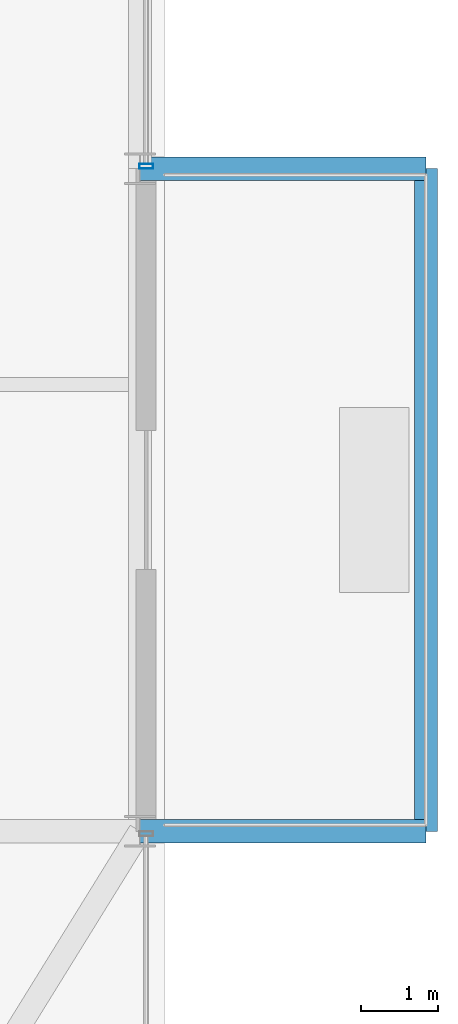
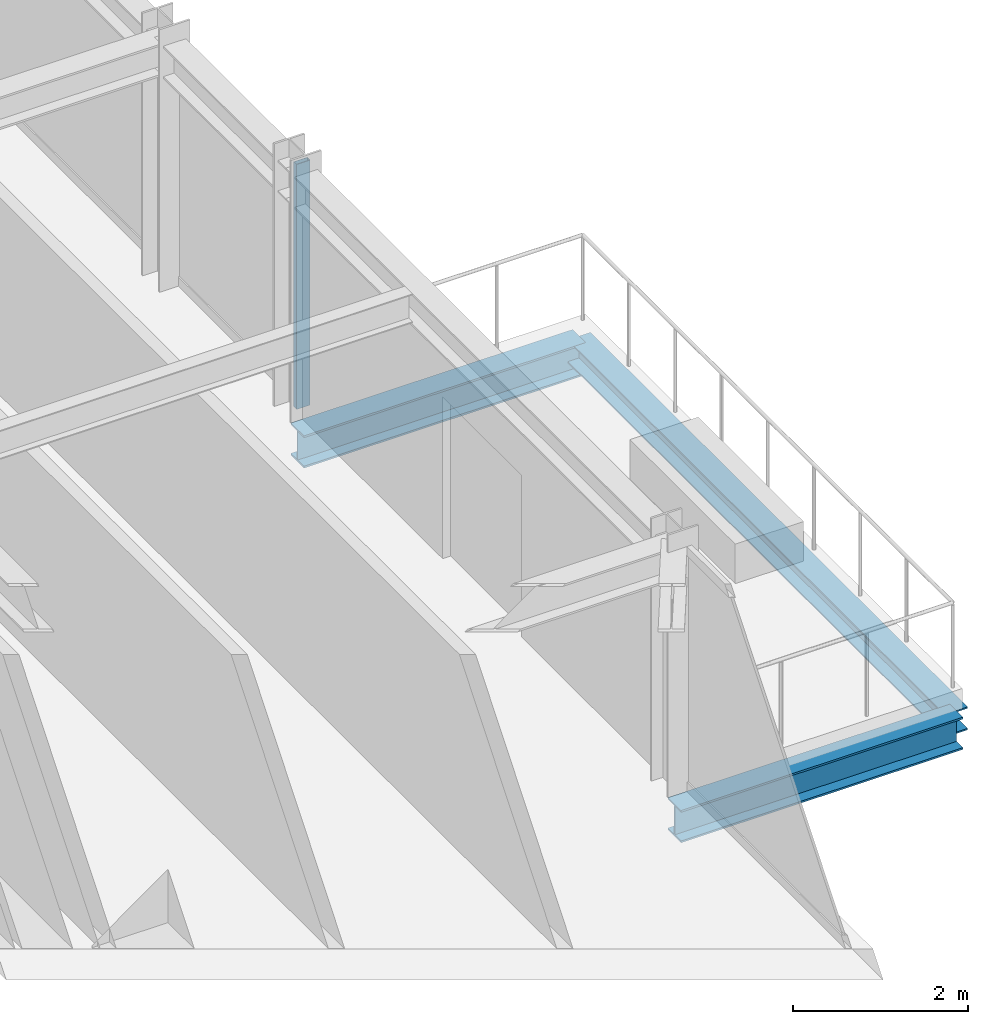
# One storey, part 15 of 36: 3 beams, 1 member, 1 element without a shape of its own.
"""IFC4 building model written with IfcOpenShell, lengths in metres."""

from ifc_helpers import new_model, si_unit, direction, frame, origin, origin_2d, place, context, subcontext, project, spatial, hollow_rectangle, i_section, extrude, source, transform, mapped, material, material_profile, profile_set, type_object, element, aggregate, save


model = new_model("IFC4")

# Units and contexts
model_context = context("Model", 3, precision=1e-05, world=origin(), true_north=direction((0.0, 1.0)))
body_context = subcontext(model_context, "Body", "Model", "MODEL_VIEW")
ifc_project = project(units=[si_unit("LENGTHUNIT", "METRE"), si_unit("AREAUNIT", "SQUARE_METRE"), si_unit("VOLUMEUNIT", "CUBIC_METRE"), si_unit("PLANEANGLEUNIT", "RADIAN"), si_unit("MASSUNIT", "GRAM", prefix="KILO")], contexts=[model_context])

# Site, building, storey
site_placement = place(None, origin())
site = spatial("IfcSite", under=ifc_project, at=site_placement, CompositionType="ELEMENT")
building_placement = place(site_placement, origin())
building = spatial("IfcBuilding", under=site, at=building_placement, Name="Nahalor Promenade Grand Hotel", CompositionType="ELEMENT")
storey_placement = place(building_placement, frame((0.0, 0.0, 219.699951171875)))
storey = spatial("IfcBuildingStorey", under=building, at=storey_placement, Name="L56", CompositionType="ELEMENT", Elevation=219.699951171875)

# Beams
ifc_material_1 = material(Name="Steel S355JR", Category="steel")
ifc_material_profile_1 = material_profile(ifc_material_1, i_section(OverallWidth=0.3, OverallDepth=0.32, WebThickness=0.0115, FlangeThickness=0.0205, at=origin_2d()), Name="HEB 320")
ifc_profile_set_1 = profile_set([ifc_material_profile_1], Name="Steel S355JR")
beam_type_1 = type_object("IfcBeamType", Name="Beam-BalcEdge-HEB320", PredefinedType="SPANDREL", material=ifc_profile_set_1)
shared_shape_1 = source(origin(), body_context, "Body", "SweptSolid", [
    extrude(i_section(OverallWidth=0.3, OverallDepth=0.32, WebThickness=0.0115, FlangeThickness=0.0205, at=origin_2d()), origin(), (0.0, 0.0, 1.0), 8.60009765625),
])
beam_placement = place(storey_placement, frame((27.590087890625, -17.0, -0.43994140625), z_axis=(0.0, 1.0, 0.0), x_axis=(-1.0, 0.0, 0.0)))
element("IfcBeam", 1, at=beam_placement, inside=storey, type_object=beam_type_1, Name="BM-L56-BC-02-F", PredefinedType="SPANDREL", context=body_context, shape_type="MappedRepresentation", body=[
    mapped(shared_shape_1, transform((0.0, 0.0, 0.0), scale=1.0)),
])
ifc_material_profile_2 = material_profile(ifc_material_1, i_section(OverallWidth=0.3, OverallDepth=0.45, WebThickness=0.014, FlangeThickness=0.026, at=origin_2d()), Name="HEB 450")
ifc_profile_set_2 = profile_set([ifc_material_profile_2], Name="Steel S355JR")
beam_type_2 = type_object("IfcBeamType", Name="Beam-Outrigger-HEB450", PredefinedType="BEAM", material=ifc_profile_set_2)
shared_shape_2 = source(origin(), body_context, "Body", "SweptSolid", [
    extrude(i_section(OverallWidth=0.3, OverallDepth=0.45, WebThickness=0.014, FlangeThickness=0.026, at=origin_2d()), origin(), (0.0, 0.0, 1.0), 3.710205078125),
])
for number, where, z_axis, x_axis, name in (
    (2, (23.8798828125, -17.0, -0.5048828125), (1.0, 0.0, 0.0), (0.0, 1.0, 0.0), "BM-L56-BC-02-1"),
    (3, (23.8798828125, -8.39990234375, -0.5048828125), (1.0, 0.0, 0.0), (0.0, 1.0, 0.0), "BM-L56-BC-02-2"),
):
    element("IfcBeam", number, at=place(storey_placement, frame(where, z_axis=z_axis, x_axis=x_axis)), inside=storey, type_object=beam_type_2, Name=name, PredefinedType="BEAM", context=body_context, shape_type="MappedRepresentation", body=[
        mapped(shared_shape_2, transform((0.0, 0.0, 0.0), scale=1.0)),
    ])

# Curtain wall, member
ifc_material_2 = material(Name="Anodised Bronze Aluminium EN AW-6063 T6", Category="aluminium")
curtain_wall_type = type_object("IfcCurtainWallType", Name="CW2 Typical Hotel Flush Bronze Unitised Curtain Wall", PredefinedType="USERDEFINED", material=ifc_material_2)
curtain_wall_placement = place(storey_placement, origin())
curtain_wall = element("IfcCurtainWall", 4, at=curtain_wall_placement, inside=storey, type_object=curtain_wall_type, Name="L56 Curtain Wall CW-L56-E-3", ObjectType="UNITISED_CURTAIN_WALL", PredefinedType="USERDEFINED")
ifc_material_profile_3 = material_profile(ifc_material_2, hollow_rectangle(XDim=0.065, YDim=0.18, WallThickness=0.004, at=origin_2d()), Name="CWM 65x180x4")
ifc_profile_set_3 = profile_set([ifc_material_profile_3], Name="Anodised Bronze Aluminium EN AW-6063 T6")
member_type = type_object("IfcMemberType", Name="CWM2 Typical Bronze Mullion 65x180", PredefinedType="MULLION", material=ifc_profile_set_3)
shared_shape_3 = source(origin(), body_context, "Body", "SweptSolid", [
    extrude(hollow_rectangle(XDim=0.065, YDim=0.18, WallThickness=0.004, at=origin_2d()), origin(), (0.0, 0.0, 1.0), 3.41015625),
])
member_placement = place(storey_placement, frame((23.9599609375, -8.367431640625, 0.0), z_axis=(0.0, 0.0, 1.0), x_axis=(0.0, 1.0, 0.0)))
member = element("IfcMember", 5, at=member_placement, type_object=member_type, Name="CW-L56-E-3 Mullion 0", PredefinedType="MULLION", context=body_context, shape_type="MappedRepresentation", body=[
    mapped(shared_shape_3, transform((0.0, 0.0, 0.0), scale=1.0)),
])
aggregate(curtain_wall, [member])

save(model, "model.ifc")
